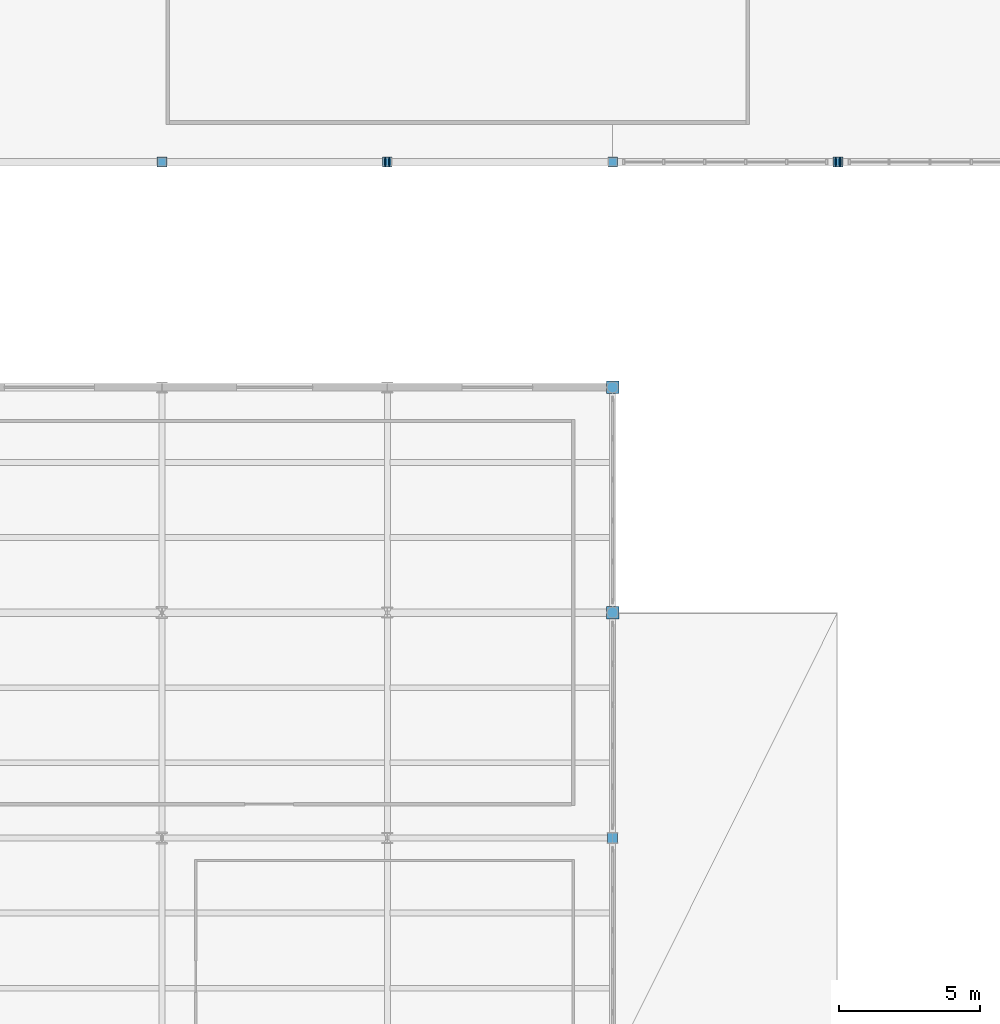
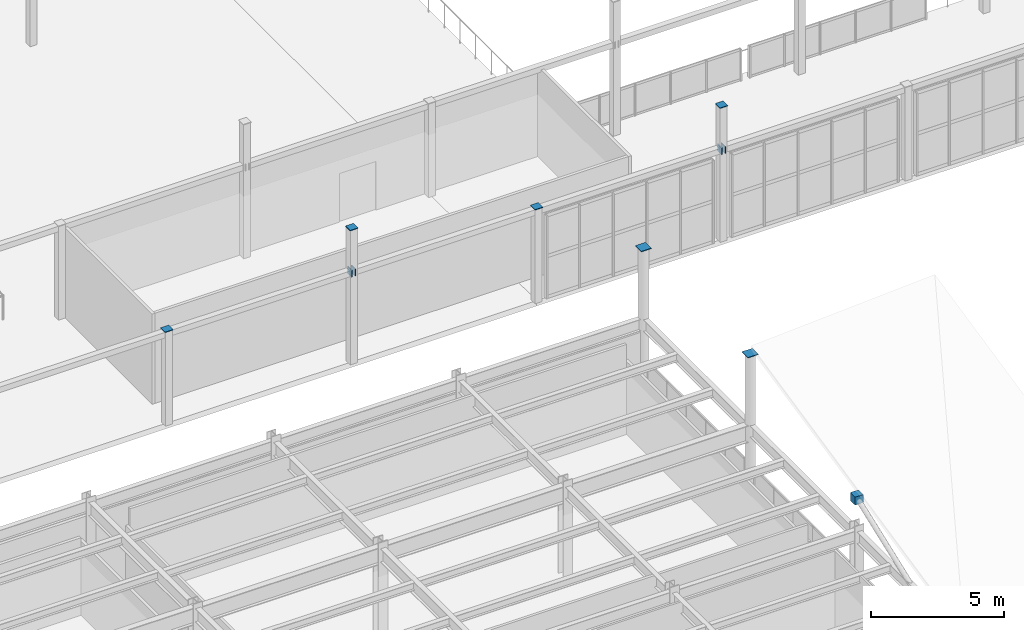
# One storey, part 61 of 83: 11 discrete accessories.
"""IFC4 building model written with IfcOpenShell, lengths in metres."""

from ifc_helpers import new_model, si_unit, direction, frame, origin, origin_2d, place, context, subcontext, project, spatial, rectangle, extrude, material, type_object, element, save


model = new_model("IFC4")

# Units and contexts
model_context = context("Model", 3, precision=1e-05, world=origin(), true_north=direction((0.0, 1.0)))
body_context = subcontext(model_context, "Body", "Model", "MODEL_VIEW")
ifc_project = project(units=[si_unit("LENGTHUNIT", "METRE"), si_unit("AREAUNIT", "SQUARE_METRE"), si_unit("VOLUMEUNIT", "CUBIC_METRE"), si_unit("PLANEANGLEUNIT", "RADIAN"), si_unit("MASSUNIT", "GRAM", prefix="KILO")], contexts=[model_context])

# Site, building, storey
site_placement = place(None, origin())
site = spatial("IfcSite", under=ifc_project, at=site_placement, CompositionType="ELEMENT")
building_placement = place(site_placement, origin())
building = spatial("IfcBuilding", under=site, at=building_placement, Name="Drelvath Fold Interchange", CompositionType="ELEMENT")
storey_placement = place(building_placement, frame((0.0, 0.0, 11.199951171875)))
storey = spatial("IfcBuildingStorey", under=building, at=storey_placement, Name="L02", CompositionType="ELEMENT", Elevation=11.199951171875)

# Discrete accessories
ifc_material = material(Name="Steel ASTM A572 Grade 50", Category="steel")
discrete_accessory_type = type_object("IfcDiscreteAccessoryType", Name="AC-CAP380", PredefinedType="BRACKET", material=ifc_material)
for number, where, z_axis, x_axis, name in (
    (1, (36.0, 59.0, 4.2900390625), (0.0, 0.0, 1.0), (1.0, 0.0, 0.0), "Welded hollow column end cap 55"),
    (2, (44.0, 59.0, 6.14013671875), (0.0, 0.0, 1.0), (1.0, 0.0, 0.0), "Welded hollow column end cap 60"),
):
    element("IfcDiscreteAccessory", number, at=place(storey_placement, frame(where, z_axis=z_axis, x_axis=x_axis)), inside=storey, type_object=discrete_accessory_type, Name=name, PredefinedType="BRACKET", context=body_context, shape_type="SweptSolid", body=[
        extrude(rectangle(XDim=0.344970703125, YDim=0.344970703125, at=origin_2d()), origin(), (0.0, 0.0, 1.0), 0.030029296875),
    ])
for number, where, z_axis, x_axis, name in (
    (3, (52.0, 43.0, 7.2802734375), (0.0, 0.0, 1.0), (1.0, 0.0, 0.0), "Welded hollow column end cap 65"),
    (4, (52.0, 51.0, 7.2802734375), (0.0, 0.0, 1.0), (1.0, 0.0, 0.0), "Welded hollow column end cap 66"),
):
    element("IfcDiscreteAccessory", number, at=place(storey_placement, frame(where, z_axis=z_axis, x_axis=x_axis)), inside=storey, type_object=discrete_accessory_type, Name=name, PredefinedType="BRACKET", context=body_context, shape_type="SweptSolid", body=[
        extrude(rectangle(XDim=0.446044921875, YDim=0.446044921875, at=origin_2d()), origin(), (0.0, 0.0, 1.0), 0.030029296875),
    ])
for number, where, z_axis, x_axis, name in (
    (5, (52.0, 59.0, 4.2900390625), (0.0, 0.0, 1.0), (1.0, 0.0, 0.0), "Welded hollow column end cap 67"),
    (6, (60.0, 59.0, 6.14013671875), (0.0, 0.0, 1.0), (1.0, 0.0, 0.0), "Welded hollow column end cap 72"),
):
    element("IfcDiscreteAccessory", number, at=place(storey_placement, frame(where, z_axis=z_axis, x_axis=x_axis)), inside=storey, type_object=discrete_accessory_type, Name=name, PredefinedType="BRACKET", context=body_context, shape_type="SweptSolid", body=[
        extrude(rectangle(XDim=0.344970703125, YDim=0.344970703125, at=origin_2d()), origin(), (0.0, 0.0, 1.0), 0.030029296875),
    ])
discrete_accessory_placement = place(storey_placement, frame((52.0, 35.0048828125, 5.36669921875), z_axis=(0.0, 0.0, 1.0), x_axis=(1.0, 0.0, 0.0)))
element("IfcDiscreteAccessory", 7, at=discrete_accessory_placement, inside=storey, type_object=discrete_accessory_type, Name="Welded hollow member end cap 143", PredefinedType="BRACKET", context=body_context, shape_type="SweptSolid", body=[
    extrude(rectangle(XDim=0.35888671875, YDim=0.35888671875, at=origin_2d()), origin(), (0.0, 0.0, 1.0), 0.35888671875),
])
for number, where, z_axis, x_axis, name in (
    (8, (43.925048828125, 59.0, 3.9931640625), (0.0, 0.0, 1.0), (1.0, 0.0, 0.0), "Welded hollow member end cap 379"),
    (9, (44.074951171875, 59.0, 3.9931640625), (0.0, 0.0, 1.0), (1.0, 0.0, 0.0), "Welded hollow member end cap 404"),
    (10, (59.925048828125, 59.0, 3.9931640625), (0.0, 0.0, 1.0), (1.0, 0.0, 0.0), "Welded hollow member end cap 424"),
    (11, (60.074951171875, 59.0, 3.9931640625), (0.0, 0.0, 1.0), (1.0, 0.0, 0.0), "Welded hollow member end cap 449"),
):
    element("IfcDiscreteAccessory", number, at=place(storey_placement, frame(where, z_axis=z_axis, x_axis=x_axis)), inside=storey, type_object=discrete_accessory_type, Name=name, PredefinedType="BRACKET", context=body_context, shape_type="SweptSolid", body=[
        extrude(rectangle(XDim=0.0400390625, YDim=0.31396484375, at=origin_2d()), origin(), (0.0, 0.0, 1.0), 0.31396484375),
    ])

save(model, "model.ifc")
